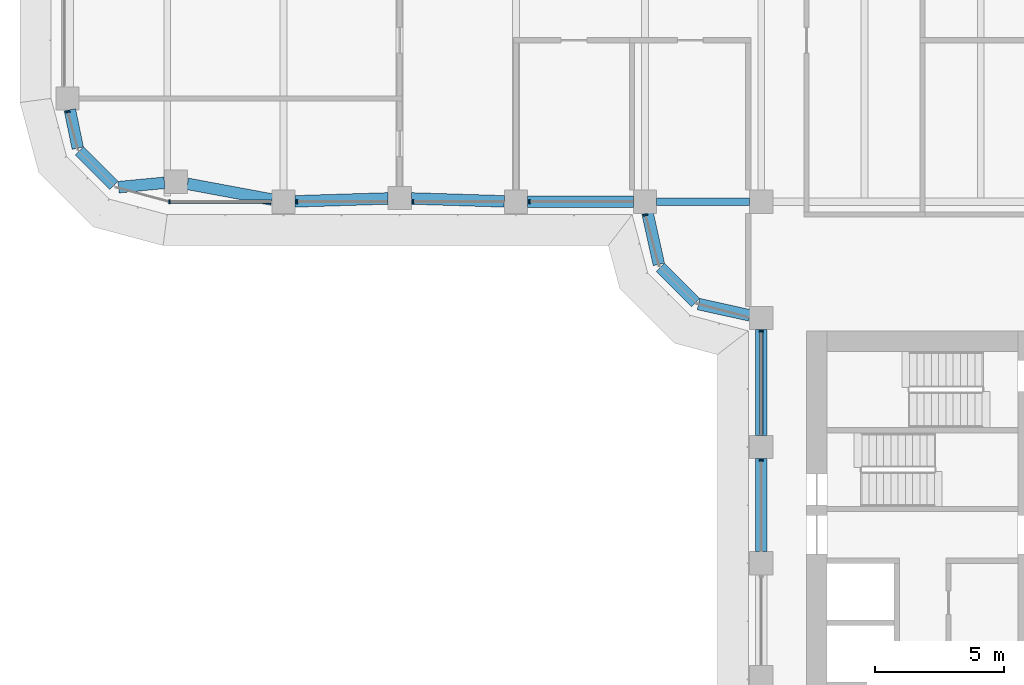
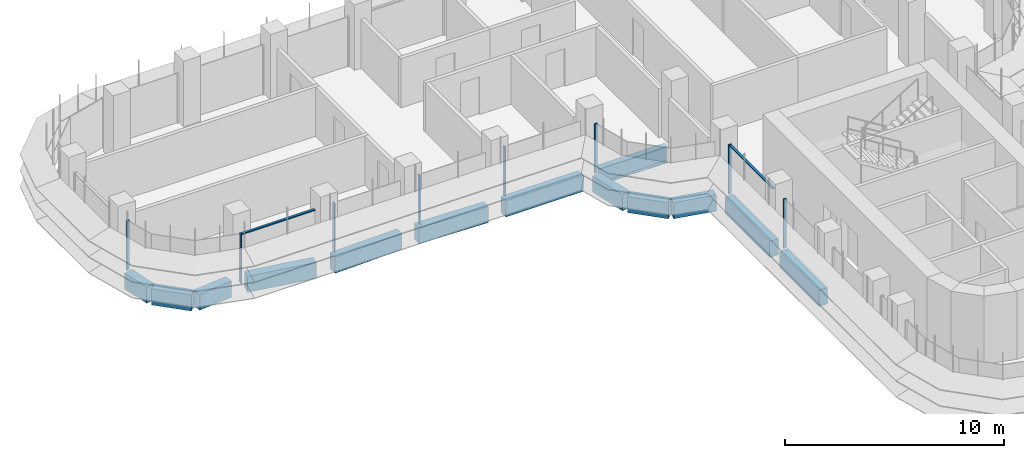
# One storey, part 3 of 22: 13 beams, 10 members, 4 elements without a shape of their own.
"""IFC4 building model written with IfcOpenShell, lengths in metres."""

from ifc_helpers import new_model, si_unit, direction, frame, origin, origin_2d, place, context, subcontext, project, spatial, polyline, rectangle, i_section, outline, extrude, source, transform, mapped, material, material_profile, profile_set, type_object, element, aggregate, save


model = new_model("IFC4")

# Units and contexts
model_context = context("Model", 3, precision=1e-05, world=origin(), true_north=direction((0.0, 1.0)))
body_context = subcontext(model_context, "Body", "Model", "MODEL_VIEW")
ifc_project = project(units=[si_unit("LENGTHUNIT", "METRE"), si_unit("AREAUNIT", "SQUARE_METRE"), si_unit("VOLUMEUNIT", "CUBIC_METRE"), si_unit("PLANEANGLEUNIT", "RADIAN"), si_unit("MASSUNIT", "GRAM", prefix="KILO")], contexts=[model_context])

# Site, building, storey
site_placement = place(None, origin())
site = spatial("IfcSite", under=ifc_project, at=site_placement, CompositionType="ELEMENT")
building_placement = place(site_placement, origin())
building = spatial("IfcBuilding", under=site, at=building_placement, Name="Zarbagh Exchange Tower", CompositionType="ELEMENT")
storey_placement = place(building_placement, frame((0.0, 0.0, 101.800048828125)))
storey = spatial("IfcBuildingStorey", under=building, at=storey_placement, Name="L23", CompositionType="ELEMENT", Elevation=101.800048828125)

# Beams
ifc_material_1 = material(Name="Steel ASTM A992 Gr 50", Category="steel")
ifc_material_profile_1 = material_profile(ifc_material_1, i_section(OverallWidth=0.3046875, OverallDepth=0.911865234375, WebThickness=0.015869140625, FlangeThickness=0.02392578125, at=origin_2d()), Name="W36X150")
ifc_profile_set_1 = profile_set([ifc_material_profile_1], Name="Steel ASTM A992 Gr 50")
beam_type_1 = type_object("IfcBeamType", Name="Floor girder W36X150", PredefinedType="BEAM", material=ifc_profile_set_1)
beam_1_placement = place(storey_placement, frame((-10.300048828125, -6.25, -0.60595703125), z_axis=(1.0, 0.0, 0.0), x_axis=(0.0, 1.0, 0.0)))
element("IfcBeam", 1, at=beam_1_placement, inside=storey, type_object=beam_type_1, Name="Steel girder", PredefinedType="BEAM", context=body_context, shape_type="SweptSolid", body=[
    extrude(i_section(OverallWidth=0.3046875, OverallDepth=0.911865234375, WebThickness=0.015869140625, FlangeThickness=0.02392578125, at=origin_2d()), origin(), (0.0, 0.0, 1.0), 3.60009765625),
])
ifc_material_2 = material(Name="Concrete C60/75", Category="concrete")
ifc_material_profile_2 = material_profile(ifc_material_2, rectangle(XDim=0.449951171875, YDim=0.89990234375, at=origin_2d()), Name="RC spandrel beam 450 x 900 C60/75")
ifc_profile_set_2 = profile_set([ifc_material_profile_2], Name="Concrete C60/75")
beam_type_2 = type_object("IfcBeamType", Name="RC spandrel beam 450 x 900 C60/75", PredefinedType="SPANDREL", material=ifc_profile_set_2)
beam_2_placement = place(storey_placement, frame((-6.25, -19.800048828125, -0.60009765625), z_axis=(0.0, 1.0, 0.0), x_axis=(-1.0, 0.0, 0.0)))
element("IfcBeam", 2, at=beam_2_placement, inside=storey, type_object=beam_type_2, Name="RC spandrel beam", PredefinedType="SPANDREL", context=body_context, shape_type="SweptSolid", body=[
    extrude(rectangle(XDim=0.449951171875, YDim=0.89990234375, at=origin_2d()), origin(), (0.0, 0.0, 1.0), 3.60009765625),
])
beam_3_placement = place(storey_placement, frame((-6.25, -15.300048828125, -0.60009765625), z_axis=(0.0, 1.0, 0.0), x_axis=(-1.0, 0.0, 0.0)))
element("IfcBeam", 3, at=beam_3_placement, inside=storey, type_object=beam_type_2, Name="RC spandrel beam", PredefinedType="SPANDREL", context=body_context, shape_type="SweptSolid", body=[
    extrude(rectangle(XDim=0.449951171875, YDim=0.89990234375, at=origin_2d()), origin(), (0.0, 0.0, 1.0), 4.10009765625),
])
beam_4_placement = place(storey_placement, frame((-6.689453125, -10.65283203125, -0.60009765625), z_axis=(-0.976367325525, 0.216117666208, 0.0), x_axis=(-0.216117666208, -0.976367325525, 0.0)))
element("IfcBeam", 4, at=beam_4_placement, inside=storey, type_object=beam_type_2, Name="RC spandrel beam", PredefinedType="SPANDREL", context=body_context, shape_type="SweptSolid", body=[
    extrude(rectangle(XDim=0.449951171875, YDim=0.89990234375, at=origin_2d()), origin(), (0.0, 0.0, 1.0), 2.03564453125),
])
beam_5_placement = place(storey_placement, frame((-8.78759765625, -10.15234375, -0.60009765625), z_axis=(-0.707106781187, 0.707106781187, 0.0), x_axis=(-0.707106781187, -0.707106781187, 0.0)))
element("IfcBeam", 5, at=beam_5_placement, inside=storey, type_object=beam_type_2, Name="RC spandrel beam", PredefinedType="SPANDREL", context=body_context, shape_type="SweptSolid", body=[
    extrude(rectangle(XDim=0.449951171875, YDim=0.89990234375, at=origin_2d()), origin(), (0.0, 0.0, 1.0), 1.929931640625),
])
beam_6_placement = place(storey_placement, frame((-10.212890625, -8.677001953125, -0.60009765625), z_axis=(-0.216117666208, 0.976367325525, 0.0), x_axis=(-0.976367325525, -0.216117666208, 0.0)))
element("IfcBeam", 6, at=beam_6_placement, inside=storey, type_object=beam_type_2, Name="RC spandrel beam", PredefinedType="SPANDREL", context=body_context, shape_type="SweptSolid", body=[
    extrude(rectangle(XDim=0.449951171875, YDim=0.89990234375, at=origin_2d()), origin(), (0.0, 0.0, 1.0), 2.03564453125),
])
beam_7_placement = place(storey_placement, frame((-11.199951171875, -6.25, -0.60009765625), z_axis=(-1.0, 0.0, 0.0), x_axis=(0.0, -1.0, 0.0)))
element("IfcBeam", 7, at=beam_7_placement, inside=storey, type_object=beam_type_2, Name="RC spandrel beam", PredefinedType="SPANDREL", context=body_context, shape_type="SweptSolid", body=[
    extrude(rectangle(XDim=0.449951171875, YDim=0.89990234375, at=origin_2d()), origin(), (0.0, 0.0, 1.0), 4.10009765625),
])
for number, where, z_axis, x_axis, name in (
    (8, (-16.19970703125, -6.236083984375, -0.60009765625), (-0.999516035224, 0.031107801747, 0.0), (-0.031107801747, -0.999516035224, 0.0), "RC spandrel beam"),
    (9, (-20.69970703125, -6.1240234375, -0.60009765625), (-0.999516035224, -0.031107801747, 0.0), (0.031107801747, -0.999516035224, 0.0), "RC spandrel beam"),
):
    element("IfcBeam", number, at=place(storey_placement, frame(where, z_axis=z_axis, x_axis=x_axis)), inside=storey, type_object=beam_type_2, Name=name, PredefinedType="SPANDREL", context=body_context, shape_type="SweptSolid", body=[
        extrude(rectangle(XDim=0.449951171875, YDim=0.89990234375, at=origin_2d()), origin(), (0.0, 0.0, 1.0), 3.602294921875),
    ])
beam_8_placement = place(storey_placement, frame((-25.1923828125, -6.16748046875, -0.60009765625), z_axis=(-0.98308156541, 0.183168326277, 0.0), x_axis=(-0.183168326277, -0.98308156541, 0.0)))
element("IfcBeam", 10, at=beam_8_placement, inside=storey, type_object=beam_type_2, Name="RC spandrel beam", PredefinedType="SPANDREL", context=body_context, shape_type="SweptSolid", body=[
    extrude(rectangle(XDim=0.449951171875, YDim=0.89990234375, at=origin_2d()), origin(), (0.0, 0.0, 1.0), 3.32958984375),
])
beam_9_placement = place(storey_placement, frame((-29.35595703125, -5.51806640625, -0.60009765625), z_axis=(-0.995433267802, -0.095459988228, 0.0), x_axis=(0.095459988228, -0.995433267802, 0.0)))
element("IfcBeam", 11, at=beam_9_placement, inside=storey, type_object=beam_type_2, Name="RC spandrel beam", PredefinedType="SPANDREL", context=body_context, shape_type="SweptSolid", body=[
    extrude(rectangle(XDim=0.449951171875, YDim=0.89990234375, at=origin_2d()), origin(), (0.0, 0.0, 1.0), 1.78759765625),
])
beam_10_placement = place(storey_placement, frame((-31.316162109375, -5.623779296875, -0.60009765625), z_axis=(-0.707106781187, 0.707106781187, 0.0), x_axis=(-0.707106781187, -0.707106781187, 0.0)))
element("IfcBeam", 12, at=beam_10_placement, inside=storey, type_object=beam_type_2, Name="RC spandrel beam", PredefinedType="SPANDREL", context=body_context, shape_type="SweptSolid", body=[
    extrude(rectangle(XDim=0.449951171875, YDim=0.89990234375, at=origin_2d()), origin(), (0.0, 0.0, 1.0), 1.887939453125),
])
beam_11_placement = place(storey_placement, frame((-32.71240234375, -4.17529296875, -0.60009765625), z_axis=(-0.202275417995, 0.979328675816, 0.0), x_axis=(-0.979328675816, -0.202275417995, 0.0)))
element("IfcBeam", 13, at=beam_11_placement, inside=storey, type_object=beam_type_2, Name="RC spandrel beam", PredefinedType="SPANDREL", context=body_context, shape_type="SweptSolid", body=[
    extrude(rectangle(XDim=0.449951171875, YDim=0.89990234375, at=origin_2d()), origin(), (0.0, 0.0, 1.0), 1.515869140625),
])

# Curtain wall, member
ifc_material_3 = material(Name="Anodised aluminium frame and glazing", Category="aluminium")
curtain_wall_type = type_object("IfcCurtainWallType", Name="CWA Ribbon glazing, lower zones", PredefinedType="NOTDEFINED", material=ifc_material_3)
curtain_wall_1_placement = place(storey_placement, origin())
curtain_wall_1 = element("IfcCurtainWall", 14, at=curtain_wall_1_placement, inside=storey, type_object=curtain_wall_type, Name="CWA37 curtain wall", PredefinedType="NOTDEFINED")
ifc_material_4 = material(Name="Anodised aluminium frame", Category="aluminium")
member_type_1 = type_object("IfcMemberType", Name="MUA Mullion, anodised aluminium frame", PredefinedType="MULLION", material=ifc_material_4)
shared_shape_1 = source(origin(), body_context, "Body", "SweptSolid", [
    extrude(outline(polyline([(0.0, -0.080078125), (0.06005859375, -0.080078125), (0.06005859375, 0.080078125), (0.0, 0.080078125), (0.0, -0.080078125)])), origin(), (0.0, 0.0, 1.0), 2.75),
])
placement = place(storey_placement, origin())
member_1 = element("IfcMember", 15, at=placement, type_object=member_type_1, Name="CWA37 mullion 1.1", PredefinedType="MULLION", context=body_context, shape_type="MappedRepresentation", body=[
    mapped(shared_shape_1, transform((-33.10107421875, -2.739990234375, 0.0), x_axis=(0.258824779902, -0.965924289636, 0.0), y_axis=(0.965924289636, 0.258824779902, 0.0), z_axis=(0.0, 0.0, 1.0))),
])
aggregate(curtain_wall_1, [member_1])

# Curtain wall, members
curtain_wall_2_placement = place(storey_placement, origin())
curtain_wall_2 = element("IfcCurtainWall", 16, at=curtain_wall_2_placement, inside=storey, type_object=curtain_wall_type, Name="CWA40 curtain wall", PredefinedType="NOTDEFINED")
member_2 = element("IfcMember", 17, at=placement, type_object=member_type_1, Name="CWA40 mullion 1.1", PredefinedType="MULLION", context=body_context, shape_type="MappedRepresentation", body=[
    mapped(shared_shape_1, transform((-29.18408203125, -6.25, 0.0), x_axis=(1.0, 0.0, 0.0), y_axis=(0.0, 1.0, 0.0), z_axis=(0.0, 0.0, 1.0))),
])
member_3 = element("IfcMember", 18, at=placement, type_object=member_type_1, Name="CWA40 mullion 2.1", PredefinedType="MULLION", context=body_context, shape_type="MappedRepresentation", body=[
    mapped(shared_shape_1, transform((-24.260009765625, -6.25, 0.0), x_axis=(1.0, 0.0, 0.0), y_axis=(0.0, 1.0, 0.0), z_axis=(0.0, 0.0, 1.0))),
])
member_4 = element("IfcMember", 19, at=placement, type_object=member_type_1, Name="CWA40 mullion 3.1", PredefinedType="MULLION", context=body_context, shape_type="MappedRepresentation", body=[
    mapped(shared_shape_1, transform((-19.760009765625, -6.25, 0.0), x_axis=(1.0, 0.0, 0.0), y_axis=(0.0, 1.0, 0.0), z_axis=(0.0, 0.0, 1.0))),
])
member_5 = element("IfcMember", 20, at=placement, type_object=member_type_1, Name="CWA40 mullion 4.1", PredefinedType="MULLION", context=body_context, shape_type="MappedRepresentation", body=[
    mapped(shared_shape_1, transform((-15.260009765625, -6.25, 0.0), x_axis=(1.0, 0.0, 0.0), y_axis=(0.0, 1.0, 0.0), z_axis=(0.0, 0.0, 1.0))),
])

# Curtain wall, member
curtain_wall_3_placement = place(storey_placement, origin())
curtain_wall_3 = element("IfcCurtainWall", 21, at=curtain_wall_3_placement, inside=storey, type_object=curtain_wall_type, Name="CWA41 curtain wall", PredefinedType="NOTDEFINED")
member_6 = element("IfcMember", 22, at=placement, type_object=member_type_1, Name="CWA41 mullion 1.1", PredefinedType="MULLION", context=body_context, shape_type="MappedRepresentation", body=[
    mapped(shared_shape_1, transform((-10.735107421875, -6.739990234375, 0.0), x_axis=(0.258824779902, -0.965924289636, 0.0), y_axis=(0.965924289636, 0.258824779902, 0.0), z_axis=(0.0, 0.0, 1.0))),
])
aggregate(curtain_wall_3, [member_6])

# Curtain wall, members
curtain_wall_4_placement = place(storey_placement, origin())
curtain_wall_4 = element("IfcCurtainWall", 23, at=curtain_wall_4_placement, inside=storey, type_object=curtain_wall_type, Name="CWA44 curtain wall", PredefinedType="NOTDEFINED")
member_7 = element("IfcMember", 24, at=placement, type_object=member_type_1, Name="CWA44 mullion 1.1", PredefinedType="MULLION", context=body_context, shape_type="MappedRepresentation", body=[
    mapped(shared_shape_1, transform((-6.25, -11.239990234375, 0.0), x_axis=(0.0, -1.0, 0.0), y_axis=(1.0, 0.0, 0.0), z_axis=(0.0, 0.0, 1.0))),
])
member_8 = element("IfcMember", 25, at=placement, type_object=member_type_1, Name="CWA44 mullion 2.1", PredefinedType="MULLION", context=body_context, shape_type="MappedRepresentation", body=[
    mapped(shared_shape_1, transform((-6.25, -16.239990234375, 0.0), x_axis=(0.0, -1.0, 0.0), y_axis=(1.0, 0.0, 0.0), z_axis=(0.0, 0.0, 1.0))),
])
member_type_2 = type_object("IfcMemberType", Name="TRA Transom, anodised aluminium frame", PredefinedType="USERDEFINED", material=ifc_material_4)
shared_shape_2 = source(origin(), body_context, "Body", "SweptSolid", [
    extrude(outline(polyline([(-0.06005859375, -0.06005859375), (0.0, -0.06005859375), (0.0, 0.06005859375), (-0.06005859375, 0.06005859375), (-0.06005859375, -0.06005859375)])), origin(), (0.0, 0.0, 1.0), 3.9599609375),
])
member_9 = element("IfcMember", 26, at=placement, type_object=member_type_2, Name="CWA44 transom 1.1", ObjectType="TRANSOM", PredefinedType="USERDEFINED", context=body_context, shape_type="MappedRepresentation", body=[
    mapped(shared_shape_2, transform((-6.25, -11.300048828125, 2.75), x_axis=(0.0, 0.0, 1.0), y_axis=(-1.0, 0.0, 0.0), z_axis=(0.0, -1.0, 0.0))),
])
aggregate(curtain_wall_4, [member_7, member_9, member_8])

# Member
shared_shape_3 = source(origin(), body_context, "Body", "SweptSolid", [
    extrude(outline(polyline([(-0.06005859375, -0.06005859375), (0.0, -0.06005859375), (0.0, 0.06005859375), (-0.06005859375, 0.06005859375), (-0.06005859375, -0.06005859375)])), origin(), (0.0, 0.0, 1.0), 3.88427734375),
])
member_10 = element("IfcMember", 27, at=placement, type_object=member_type_2, Name="CWA40 transom 1.1", ObjectType="TRANSOM", PredefinedType="USERDEFINED", context=body_context, shape_type="MappedRepresentation", body=[
    mapped(shared_shape_3, transform((-29.124267578125, -6.25, 2.75), x_axis=(0.0, 0.0, 1.0), y_axis=(0.0, -1.0, 0.0), z_axis=(1.0, 0.0, 0.0))),
])

aggregate(curtain_wall_2, [member_2, member_10, member_3, member_4, member_5])

save(model, "model.ifc")
